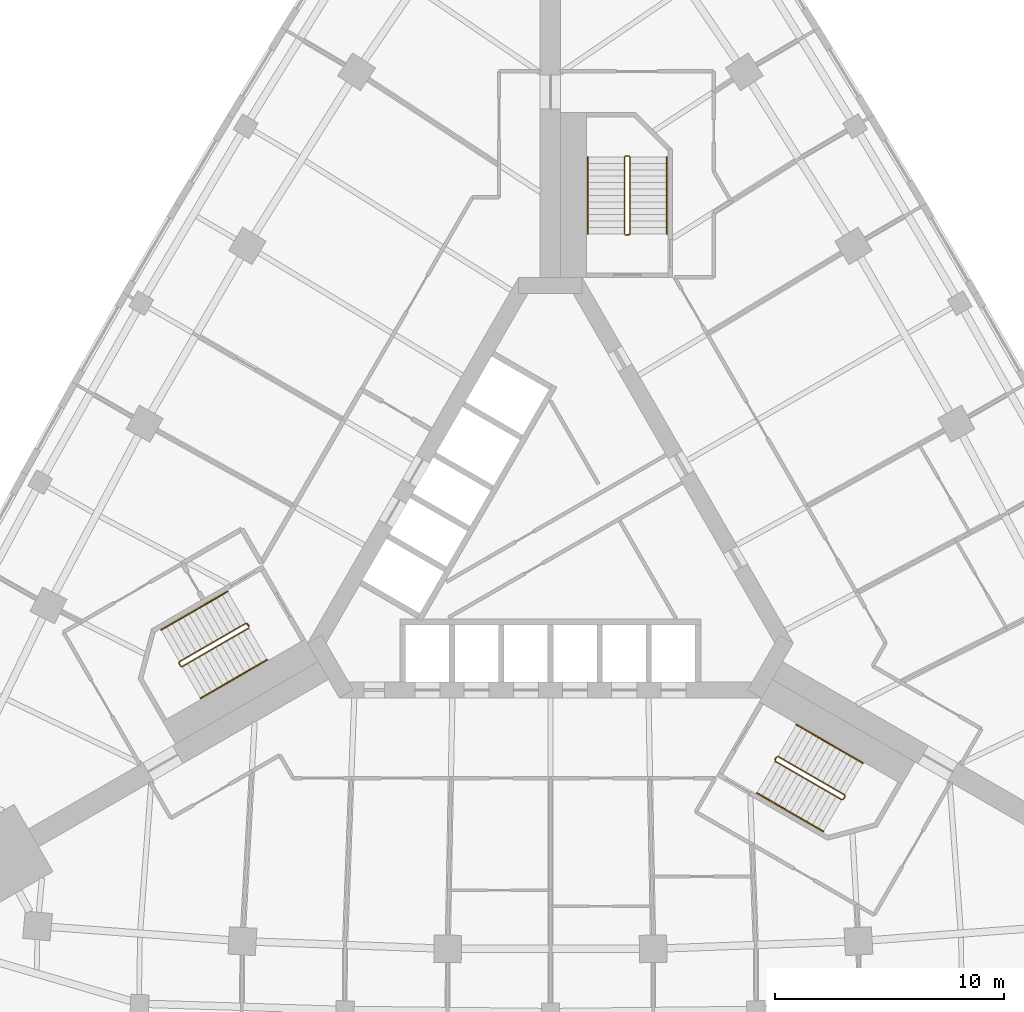
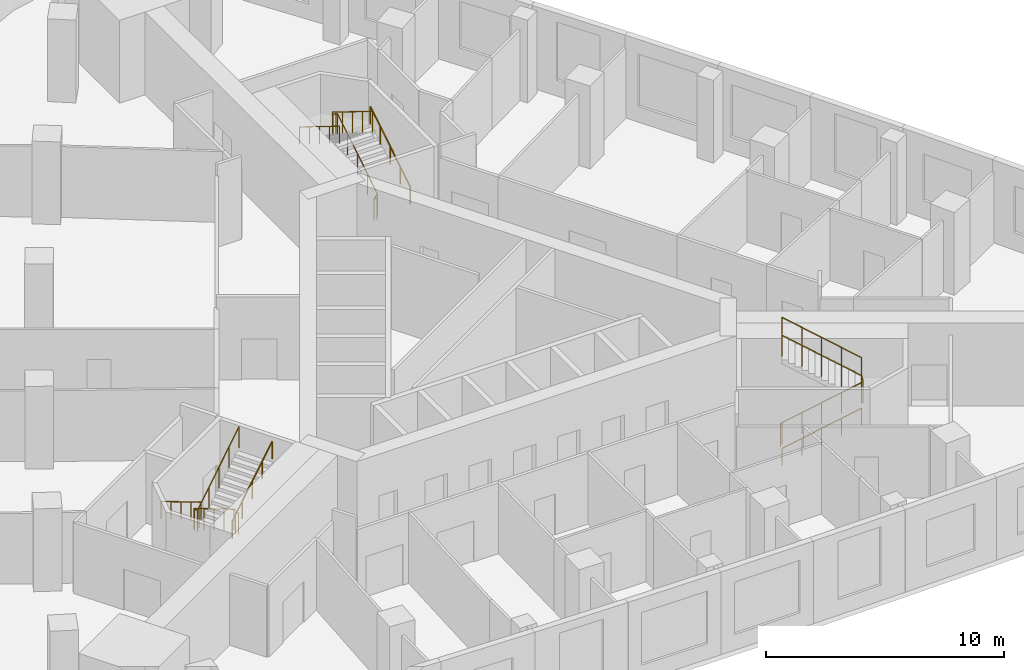
# One storey, part 11 of 11: 9 railings.
"""IFC4 building model written with IfcOpenShell, lengths in metres."""

import ifcopenshell
import ifcopenshell.guid

model = None  # the IFC model being written
_history = None  # IfcOwnerHistory: only IFC2X3 demands one
_inside = {}  # id of a spatial element -> (the spatial element, [elements in it])
_under = {}  # id of a project, library or spatial element -> (it, [spatial elements below it])
_declared = {}  # id of a project -> (the project, [libraries it declares])
_typed = {}  # id of a type object -> (the type object, [elements of that type])
_made_of = {}  # id of a material, layer set ... -> (it, [elements and type objects made of it])


def new_model(schema):
    """Start an empty IFC model of exactly this schema.

    Asked for "IFC4X3", IfcOpenShell would pick the latest addendum, in which some entities
    have other attributes; the version numbers below select the first issue.
    IFC2X3 requires an IfcOwnerHistory on every rooted entity: one is made here for all.
    """
    global model, _history
    if schema == "IFC4X3":
        model = ifcopenshell.file(schema_version=(4, 3, 0, 0))
    else:
        model = ifcopenshell.file(schema=schema)
    _inside.clear()
    _under.clear()
    _declared.clear()
    _typed.clear()
    _made_of.clear()
    _history = None
    if model.schema == "IFC2X3":
        org = make("IfcOrganization", Name="unknown")
        user = make(
            "IfcPersonAndOrganization",
            ThePerson=make("IfcPerson", FamilyName="unknown"),
            TheOrganization=org,
        )
        app = make(
            "IfcApplication",
            ApplicationDeveloper=org,
            Version="unknown",
            ApplicationFullName="unknown",
            ApplicationIdentifier="unknown",
        )
        _history = make(
            "IfcOwnerHistory",
            OwningUser=user,
            OwningApplication=app,
            ChangeAction="ADDED",
            CreationDate=0,
        )
    return model


def make(cls, **values):
    """One entity of the class cls with the attributes given. An attribute that is None is left unset."""
    return model.create_entity(
        cls, **{name: value for name, value in values.items() if value is not None}
    )


def rooted(cls, **values):
    """An entity with a GlobalId (a new one), such as an element, a storey or a relation."""
    return make(cls, GlobalId=ifcopenshell.guid.new(), OwnerHistory=_history, **values)


def si_unit(unit_type, name, prefix=None):
    """IfcSIUnit, for example si_unit("LENGTHUNIT", "METRE", prefix="MILLI")."""
    return make("IfcSIUnit", UnitType=unit_type, Prefix=prefix, Name=name)


def assignment(units):
    """IfcUnitAssignment: the units of a project."""
    return None if units is None else make("IfcUnitAssignment", Units=units)


def point(xyz):
    """IfcCartesianPoint."""
    return None if xyz is None else make("IfcCartesianPoint", Coordinates=xyz)


def direction(xyz):
    """IfcDirection."""
    return None if xyz is None else make("IfcDirection", DirectionRatios=xyz)


def frame(location, z_axis=None, x_axis=None):
    """IfcAxis2Placement3D, a coordinate frame: its origin and axes. An axis left out is left unset."""
    return make(
        "IfcAxis2Placement3D",
        Location=point(location),
        Axis=direction(z_axis),
        RefDirection=direction(x_axis),
    )


def frame_2d(location, x_axis=None):
    """IfcAxis2Placement2D, a coordinate frame in the plane: its origin and x axis."""
    return make(
        "IfcAxis2Placement2D", Location=point(location), RefDirection=direction(x_axis)
    )


def origin():
    """The frame at (0, 0, 0) with its axes left unset."""
    return frame((0.0, 0.0, 0.0))


def origin_2d():
    """The frame at (0, 0) in the plane with its x axis left unset."""
    return frame_2d((0.0, 0.0))


def place(relative_to, where):
    """IfcLocalPlacement: puts the frame where relative to a parent placement (None: the world)."""
    return make(
        "IfcLocalPlacement", PlacementRelTo=relative_to, RelativePlacement=where
    )


def context(
    kind, dimensions, precision=None, world=None, true_north=None, identifier=None
):
    """IfcGeometricRepresentationContext, for example the 3D "Model" context."""
    return make(
        "IfcGeometricRepresentationContext",
        ContextIdentifier=identifier,
        ContextType=kind,
        CoordinateSpaceDimension=dimensions,
        Precision=precision,
        WorldCoordinateSystem=world,
        TrueNorth=true_north,
    )


def subcontext(parent, identifier, kind, view, scale=None):
    """IfcGeometricRepresentationSubContext, for example "Body" below "Model"."""
    return make(
        "IfcGeometricRepresentationSubContext",
        ContextIdentifier=identifier,
        ContextType=kind,
        ParentContext=parent,
        TargetScale=scale,
        TargetView=view,
    )


def project(units=None, contexts=None):
    """IfcProject with its units and contexts."""
    return rooted(
        "IfcProject",
        Name="project",
        RepresentationContexts=contexts,
        UnitsInContext=assignment(units),
    )


def spatial(cls, under=None, at=None, **own):
    """A site, building, storey or space (cls), placed at a placement, below another one or the project."""
    s = rooted(cls, ObjectPlacement=at, **own)
    if under is not None:
        _under.setdefault(under.id(), (under, []))[1].append(s)
    return s


def profile(cls, at=None, kind="AREA", **sizes):
    """A parametric profile (cls). Its sizes go by their IFC names, for example OverallWidth=200.0."""
    return make(cls, ProfileType=kind, Position=at, **sizes)


def circle(**sizes):
    """IfcCircleProfileDef."""
    return profile("IfcCircleProfileDef", **sizes)


def extrude(swept, where, along, depth):
    """IfcExtrudedAreaSolid: the profile swept, set in the frame where, extruded along a direction by depth."""
    return make(
        "IfcExtrudedAreaSolid",
        SweptArea=swept,
        Position=where,
        ExtrudedDirection=direction(along),
        Depth=depth,
    )


def shape(context_of_items, identifier, shape_type, items):
    """IfcShapeRepresentation: the items that make up one representation, for example the "Body"."""
    return make(
        "IfcShapeRepresentation",
        ContextOfItems=context_of_items,
        RepresentationIdentifier=identifier,
        RepresentationType=shape_type,
        Items=items,
    )


def material(Name=None, Category=None):
    """IfcMaterial."""
    return make("IfcMaterial", Name=Name, Category=Category)


def made_of(thing, what):
    """Note that an element or type object is made of a material, layer set ...; save() writes the relation."""
    if what is not None:
        _made_of.setdefault(what.id(), (what, []))[1].append(thing)
    return thing


def type_object(cls, material=None, **own):
    """A type object (cls), such as IfcWallType, which elements share."""
    return made_of(rooted(cls, **own), material)


def element(
    cls,
    number,
    at=None,
    inside=None,
    cuts=None,
    type_object=None,
    material=None,
    context=None,
    identifier="Body",
    shape_type=None,
    held_by="IfcProductDefinitionShape",
    body=None,
    shapes=None,
    **own,
):
    """One element of the class cls, such as IfcWall. Its Tag is "e" and its number.

    at: its placement. inside: the storey or other place that contains it. cuts: it is an
    opening in that element (IfcRelVoidsElement). A single representation is given by context,
    identifier, shape_type and body (its items); several are given by shapes. held_by: the class
    of the entity that holds the representations. save() writes the other relations.
    """
    e = rooted(cls, Tag="e%d" % number, ObjectPlacement=at, **own)
    if body is not None:
        shapes = [shape(context, identifier, shape_type, body)]
    if shapes is not None:
        e.Representation = make(held_by, Representations=shapes)
    if inside is not None:
        _inside.setdefault(inside.id(), (inside, []))[1].append(e)
    if cuts is not None:
        rooted(
            "IfcRelVoidsElement", RelatingBuildingElement=cuts, RelatedOpeningElement=e
        )
    if type_object is not None:
        _typed.setdefault(type_object.id(), (type_object, []))[1].append(e)
    return made_of(e, material)


def aggregate(whole, parts):
    """IfcRelAggregates: a whole, such as a stair, and the parts it consists of."""
    return rooted("IfcRelAggregates", RelatingObject=whole, RelatedObjects=parts)


def save(model, path):
    """Write the relations noted so far, then the file.

    IfcRelAggregates (storeys below a building ...), IfcRelContainedInSpatialStructure (elements
    in a storey), IfcRelDefinesByType, IfcRelAssociatesMaterial and IfcRelDeclares: one each for
    every whole, place, type object, material and project.
    """
    for whole, parts in _under.values():
        aggregate(whole, parts)
    for where, things in _inside.values():
        rooted(
            "IfcRelContainedInSpatialStructure",
            RelatedElements=things,
            RelatingStructure=where,
        )
    for kind, things in _typed.values():
        rooted("IfcRelDefinesByType", RelatedObjects=things, RelatingType=kind)
    for what, things in _made_of.values():
        rooted("IfcRelAssociatesMaterial", RelatedObjects=things, RelatingMaterial=what)
    for by, libraries in _declared.values():
        rooted("IfcRelDeclares", RelatingContext=by, RelatedDefinitions=libraries)
    model.write(path)


model = new_model("IFC4")

# Units and contexts
model_context = context("Model", 3, precision=1e-05, world=origin(), true_north=direction((0.0, 1.0)))
body_context = subcontext(model_context, "Body", "Model", "MODEL_VIEW")
ifc_project = project(units=[si_unit("LENGTHUNIT", "METRE"), si_unit("AREAUNIT", "SQUARE_METRE"), si_unit("VOLUMEUNIT", "CUBIC_METRE"), si_unit("PLANEANGLEUNIT", "RADIAN"), si_unit("MASSUNIT", "GRAM", prefix="KILO")], contexts=[model_context])

# Site, building, storey
site_placement = place(None, origin())
site = spatial("IfcSite", under=ifc_project, at=site_placement, CompositionType="ELEMENT")
building_placement = place(site_placement, origin())
building = spatial("IfcBuilding", under=site, at=building_placement, Name="Noor Cloister Tower", CompositionType="ELEMENT")
storey_placement = place(building_placement, frame((0.0, 0.0, 15.0)))
storey = spatial("IfcBuildingStorey", under=building, at=storey_placement, Name="L03", CompositionType="ELEMENT", Elevation=15.0)

# Railings
ifc_material_1 = material(Name="Stainless steel", Category="steel")
railing_type_1 = type_object("IfcRailingType", Name="Stair guard 1100", PredefinedType="GUARDRAIL", material=ifc_material_1)
railing_1_placement = place(storey_placement, frame((3.435546875, 13.306396484375, 0.0)))
element("IfcRailing", 1, at=railing_1_placement, inside=storey, type_object=railing_type_1, Name="Stair guard ST1 L03", PredefinedType="GUARDRAIL", context=body_context, shape_type="SweptSolid", body=[
    extrude(circle(Radius=0.02392578125, at=origin_2d()), frame((0.0, 0.0, 1.076171875), z_axis=(-1.0, 0.0, 0.0), x_axis=(0.0, -1.0, 0.0)), (0.0, 0.0, 1.0), 0.14990234375),
    extrude(circle(Radius=0.02392578125, at=origin_2d()), frame((-0.14990234375, 0.0, 1.076171875), z_axis=(0.742869136974, 0.185944045274, 0.643094283413), x_axis=(-0.242814311512, 0.970072785993, 0.0)), (0.0, 0.0, 1.0), 0.26904296875),
    extrude(circle(Radius=0.02392578125, at=origin_2d()), frame((0.050048828125, 0.050048828125, 1.2490234375), z_axis=(0.0, 0.850606129759, 0.525803396734), x_axis=(-1.0, 0.0, 0.0)), (0.0, 0.0, 1.0), 3.949951171875),
    extrude(circle(Radius=0.02392578125, at=origin_2d()), frame((0.050048828125, 3.409912109375, 3.326171875), z_axis=(-0.707106781187, 0.707106781187, 0.0), x_axis=(-0.707106781187, -0.707106781187, 0.0)), (0.0, 0.0, 1.0), 0.07080078125),
    extrude(circle(Radius=0.02392578125, at=origin_2d()), frame((0.0, 3.4599609375, 3.326171875), z_axis=(-1.0, 0.0, 0.0), x_axis=(0.0, -1.0, 0.0)), (0.0, 0.0, 1.0), 0.14990234375),
    extrude(circle(Radius=0.02392578125, at=origin_2d()), frame((-0.14990234375, 3.4599609375, 3.326171875), z_axis=(-0.267629722418, -0.267629722418, 0.925607186314), x_axis=(0.707106781187, -0.707106781187, 0.0)), (0.0, 0.0, 1.0), 0.18701171875),
    extrude(circle(Radius=0.02392578125, at=origin_2d()), frame((-0.199951171875, 3.409912109375, 3.4990234375), z_axis=(0.0, -0.850606129759, 0.525803396734), x_axis=(1.0, 0.0, 0.0)), (0.0, 0.0, 1.0), 3.949951171875),
    extrude(circle(Radius=0.02099609375, at=origin_2d()), origin(), (0.0, 0.0, 1.0), 1.052001953125),
    extrude(circle(Radius=0.02099609375, at=origin_2d()), frame((-0.14990234375, 0.0, 0.0)), (0.0, 0.0, 1.0), 1.052001953125),
    extrude(circle(Radius=0.02099609375, at=origin_2d()), frame((0.050048828125, 0.050048828125, 0.173095703125)), (0.0, 0.0, 1.0), 1.052001953125),
    extrude(circle(Radius=0.02099609375, at=origin_2d()), frame((0.050048828125, 0.89013671875, 0.6923828125)), (0.0, 0.0, 1.0), 1.052001953125),
    extrude(circle(Radius=0.02099609375, at=origin_2d()), frame((0.050048828125, 1.72998046875, 1.21142578125)), (0.0, 0.0, 1.0), 1.052001953125),
    extrude(circle(Radius=0.02099609375, at=origin_2d()), frame((0.050048828125, 2.56982421875, 1.730712890625)), (0.0, 0.0, 1.0), 1.052001953125),
    extrude(circle(Radius=0.02099609375, at=origin_2d()), frame((0.050048828125, 3.409912109375, 2.25)), (0.0, 0.0, 1.0), 1.052001953125),
    extrude(circle(Radius=0.02099609375, at=origin_2d()), frame((0.0, 3.4599609375, 2.25)), (0.0, 0.0, 1.0), 1.052001953125),
    extrude(circle(Radius=0.02099609375, at=origin_2d()), frame((-0.14990234375, 3.4599609375, 2.25)), (0.0, 0.0, 1.0), 1.052001953125),
    extrude(circle(Radius=0.02099609375, at=origin_2d()), frame((-0.199951171875, 3.409912109375, 2.423095703125)), (0.0, 0.0, 1.0), 1.052001953125),
    extrude(circle(Radius=0.02099609375, at=origin_2d()), frame((-0.199951171875, 2.56982421875, 2.9423828125)), (0.0, 0.0, 1.0), 1.052001953125),
    extrude(circle(Radius=0.02099609375, at=origin_2d()), frame((-0.199951171875, 1.72998046875, 3.46142578125)), (0.0, 0.0, 1.0), 1.052001953125),
    extrude(circle(Radius=0.02099609375, at=origin_2d()), frame((-0.199951171875, 0.89013671875, 3.980712890625)), (0.0, 0.0, 1.0), 1.052001953125),
    extrude(circle(Radius=0.02099609375, at=origin_2d()), frame((-0.199951171875, 0.050048828125, 4.5)), (0.0, 0.0, 1.0), 1.052001953125),
])
railing_2_placement = place(storey_placement, frame((-13.241455078125, -3.677734375, 0.0)))
element("IfcRailing", 2, at=railing_2_placement, inside=storey, type_object=railing_type_1, Name="Stair guard ST2 L03", PredefinedType="GUARDRAIL", context=body_context, shape_type="SweptSolid", body=[
    extrude(circle(Radius=0.02392578125, at=origin_2d()), frame((0.0, 0.0, 1.076171875), z_axis=(0.499112439033, -0.866537231285, 0.0), x_axis=(0.866537231285, 0.499112439033, 0.0)), (0.0, 0.0, 1.0), 0.150146484375),
    extrude(circle(Radius=0.02392578125, at=origin_2d()), frame((0.074951171875, -0.130126953125, 1.076171875), z_axis=(-0.532384093884, 0.550523245294, 0.643032917485), x_axis=(-0.718850276695, -0.695164929852, 0.0)), (0.0, 0.0, 1.0), 0.269287109375),
    extrude(circle(Radius=0.02392578125, at=origin_2d()), frame((-0.068359375, 0.01806640625, 1.2490234375), z_axis=(-0.736667954249, -0.425288379326, 0.525785240943), x_axis=(0.499976138585, -0.866039179741, 0.0)), (0.0, 0.0, 1.0), 3.9501953125),
    extrude(circle(Radius=0.02392578125, at=origin_2d()), frame((-2.978271484375, -1.661865234375, 3.326171875), z_axis=(-0.258736085224, -0.965948051503, 0.0), x_axis=(0.965948051503, -0.258736085224, 0.0)), (0.0, 0.0, 1.0), 0.07080078125),
    extrude(circle(Radius=0.02392578125, at=origin_2d()), frame((-2.99658203125, -1.730224609375, 3.326171875), z_axis=(0.501036270542, -0.865426285481, 0.0), x_axis=(0.865426285481, 0.501036270542, 0.0)), (0.0, 0.0, 1.0), 0.150146484375),
    extrude(circle(Radius=0.02392578125, at=origin_2d()), frame((-2.92138671875, -1.860107421875, 3.326171875), z_axis=(0.364418931161, -0.097962078269, 0.926068179905), x_axis=(0.259601060869, 0.965715946433, 0.0)), (0.0, 0.0, 1.0), 0.18701171875),
    extrude(circle(Radius=0.02392578125, at=origin_2d()), frame((-2.853271484375, -1.87841796875, 3.4990234375), z_axis=(0.736648589954, 0.42533900462, 0.52577141998), x_axis=(-0.500030632641, 0.866007717299, 0.0)), (0.0, 0.0, 1.0), 3.9501953125),
    extrude(circle(Radius=0.02099609375, at=origin_2d()), origin(), (0.0, 0.0, 1.0), 1.052001953125),
    extrude(circle(Radius=0.02099609375, at=origin_2d()), frame((0.074951171875, -0.130126953125, 0.0)), (0.0, 0.0, 1.0), 1.052001953125),
    extrude(circle(Radius=0.02099609375, at=origin_2d()), frame((-0.068359375, 0.01806640625, 0.173095703125)), (0.0, 0.0, 1.0), 1.052001953125),
    extrude(circle(Radius=0.02099609375, at=origin_2d()), frame((-0.7958984375, -0.40185546875, 0.6923828125)), (0.0, 0.0, 1.0), 1.052001953125),
    extrude(circle(Radius=0.02099609375, at=origin_2d()), frame((-1.5234375, -0.82177734375, 1.21142578125)), (0.0, 0.0, 1.0), 1.052001953125),
    extrude(circle(Radius=0.02099609375, at=origin_2d()), frame((-2.250732421875, -1.241943359375, 1.730712890625)), (0.0, 0.0, 1.0), 1.052001953125),
    extrude(circle(Radius=0.02099609375, at=origin_2d()), frame((-2.978271484375, -1.661865234375, 2.25)), (0.0, 0.0, 1.0), 1.052001953125),
    extrude(circle(Radius=0.02099609375, at=origin_2d()), frame((-2.99658203125, -1.730224609375, 2.25)), (0.0, 0.0, 1.0), 1.052001953125),
    extrude(circle(Radius=0.02099609375, at=origin_2d()), frame((-2.92138671875, -1.860107421875, 2.25)), (0.0, 0.0, 1.0), 1.052001953125),
    extrude(circle(Radius=0.02099609375, at=origin_2d()), frame((-2.853271484375, -1.87841796875, 2.423095703125)), (0.0, 0.0, 1.0), 1.052001953125),
    extrude(circle(Radius=0.02099609375, at=origin_2d()), frame((-2.125732421875, -1.45849609375, 2.9423828125)), (0.0, 0.0, 1.0), 1.052001953125),
    extrude(circle(Radius=0.02099609375, at=origin_2d()), frame((-1.3984375, -1.038330078125, 3.46142578125)), (0.0, 0.0, 1.0), 1.052001953125),
    extrude(circle(Radius=0.02099609375, at=origin_2d()), frame((-0.6708984375, -0.6181640625, 3.980712890625)), (0.0, 0.0, 1.0), 1.052001953125),
    extrude(circle(Radius=0.02099609375, at=origin_2d()), frame((0.056640625, -0.1982421875, 4.5)), (0.0, 0.0, 1.0), 1.052001953125),
])
railing_3_placement = place(storey_placement, frame((9.805908203125, -9.628662109375, 0.0)))
element("IfcRailing", 3, at=railing_3_placement, inside=storey, type_object=railing_type_1, Name="Stair guard ST3 L03", PredefinedType="GUARDRAIL", context=body_context, shape_type="SweptSolid", body=[
    extrude(circle(Radius=0.02392578125, at=origin_2d()), frame((0.0, 0.0, 1.076171875), z_axis=(0.499112439033, 0.866537231285, 0.0), x_axis=(-0.866537231285, 0.499112439033, 0.0)), (0.0, 0.0, 1.0), 0.150146484375),
    extrude(circle(Radius=0.02392578125, at=origin_2d()), frame((0.074951171875, 0.130126953125, 1.076171875), z_axis=(-0.210401176497, -0.736404117741, 0.642993250589), x_axis=(0.961523947641, -0.274721127897, 0.0)), (0.0, 0.0, 1.0), 0.269287109375),
    extrude(circle(Radius=0.02392578125, at=origin_2d()), frame((0.018310546875, -0.068115234375, 1.2490234375), z_axis=(0.736648589954, -0.42533900462, 0.52577141998), x_axis=(0.500030632641, 0.866007717299, 0.0)), (0.0, 0.0, 1.0), 3.9501953125),
    extrude(circle(Radius=0.02392578125, at=origin_2d()), frame((2.92822265625, -1.748291015625, 3.326171875), z_axis=(0.965715946433, 0.259601060869, 0.0), x_axis=(-0.259601060869, 0.965715946433, 0.0)), (0.0, 0.0, 1.0), 0.070556640625),
    extrude(circle(Radius=0.02392578125, at=origin_2d()), frame((2.996337890625, -1.72998046875, 3.326171875), z_axis=(0.499816412211, 0.866131372301, 0.0), x_axis=(-0.866131372301, 0.499816412211, 0.0)), (0.0, 0.0, 1.0), 0.14990234375),
    extrude(circle(Radius=0.02392578125, at=origin_2d()), frame((3.0712890625, -1.60009765625, 3.326171875), z_axis=(-0.096622130353, 0.365597249983, 0.925744465136), x_axis=(-0.966805641264, -0.255512919477, 0.0)), (0.0, 0.0, 1.0), 0.18701171875),
    extrude(circle(Radius=0.02392578125, at=origin_2d()), frame((3.05322265625, -1.53173828125, 3.4990234375), z_axis=(-0.736667954249, 0.425288379326, 0.525785240943), x_axis=(-0.499976138585, -0.866039179741, 0.0)), (0.0, 0.0, 1.0), 3.9501953125),
    extrude(circle(Radius=0.02099609375, at=origin_2d()), origin(), (0.0, 0.0, 1.0), 1.052001953125),
    extrude(circle(Radius=0.02099609375, at=origin_2d()), frame((0.074951171875, 0.130126953125, 0.0)), (0.0, 0.0, 1.0), 1.052001953125),
    extrude(circle(Radius=0.02099609375, at=origin_2d()), frame((0.018310546875, -0.068115234375, 0.173095703125)), (0.0, 0.0, 1.0), 1.052001953125),
    extrude(circle(Radius=0.02099609375, at=origin_2d()), frame((0.745849609375, -0.48828125, 0.6923828125)), (0.0, 0.0, 1.0), 1.052001953125),
    extrude(circle(Radius=0.02099609375, at=origin_2d()), frame((1.47314453125, -0.908203125, 1.21142578125)), (0.0, 0.0, 1.0), 1.052001953125),
    extrude(circle(Radius=0.02099609375, at=origin_2d()), frame((2.20068359375, -1.328125, 1.730712890625)), (0.0, 0.0, 1.0), 1.052001953125),
    extrude(circle(Radius=0.02099609375, at=origin_2d()), frame((2.92822265625, -1.748291015625, 2.25)), (0.0, 0.0, 1.0), 1.052001953125),
    extrude(circle(Radius=0.02099609375, at=origin_2d()), frame((2.996337890625, -1.72998046875, 2.25)), (0.0, 0.0, 1.0), 1.052001953125),
    extrude(circle(Radius=0.02099609375, at=origin_2d()), frame((3.0712890625, -1.60009765625, 2.25)), (0.0, 0.0, 1.0), 1.052001953125),
    extrude(circle(Radius=0.02099609375, at=origin_2d()), frame((3.05322265625, -1.53173828125, 2.423095703125)), (0.0, 0.0, 1.0), 1.052001953125),
    extrude(circle(Radius=0.02099609375, at=origin_2d()), frame((2.32568359375, -1.11181640625, 2.9423828125)), (0.0, 0.0, 1.0), 1.052001953125),
    extrude(circle(Radius=0.02099609375, at=origin_2d()), frame((1.59814453125, -0.69189453125, 3.46142578125)), (0.0, 0.0, 1.0), 1.052001953125),
    extrude(circle(Radius=0.02099609375, at=origin_2d()), frame((0.870849609375, -0.271728515625, 3.980712890625)), (0.0, 0.0, 1.0), 1.052001953125),
    extrude(circle(Radius=0.02099609375, at=origin_2d()), frame((0.143310546875, 0.148193359375, 4.5)), (0.0, 0.0, 1.0), 1.052001953125),
])
ifc_material_2 = material(Name="Stainless steel", Category="steel")
railing_type_2 = type_object("IfcRailingType", Name="Stair handrail 900", PredefinedType="HANDRAIL", material=ifc_material_2)
railing_4_placement = place(storey_placement, frame((5.085693359375, 13.3564453125, 0.173095703125)))
element("IfcRailing", 4, at=railing_4_placement, inside=storey, type_object=railing_type_2, Name="Stair handrail ST1 L03 1", PredefinedType="HANDRAIL", context=body_context, shape_type="SweptSolid", body=[
    extrude(circle(Radius=0.02392578125, at=origin_2d()), frame((0.0, 0.0, 0.8759765625), z_axis=(0.0, 0.850606129759, 0.525803396734), x_axis=(-1.0, 0.0, 0.0)), (0.0, 0.0, 1.0), 3.949951171875),
    extrude(circle(Radius=0.02099609375, at=origin_2d()), origin(), (0.0, 0.0, 1.0), 0.851806640625),
    extrude(circle(Radius=0.02099609375, at=origin_2d()), frame((0.0, 0.83984375, 0.519287109375)), (0.0, 0.0, 1.0), 0.851806640625),
    extrude(circle(Radius=0.02099609375, at=origin_2d()), frame((0.0, 1.679931640625, 1.03857421875)), (0.0, 0.0, 1.0), 0.851806640625),
    extrude(circle(Radius=0.02099609375, at=origin_2d()), frame((0.0, 2.52001953125, 1.5576171875)), (0.0, 0.0, 1.0), 0.851806640625),
    extrude(circle(Radius=0.02099609375, at=origin_2d()), frame((0.0, 3.35986328125, 2.076904296875)), (0.0, 0.0, 1.0), 0.851806640625),
])
railing_5_placement = place(storey_placement, frame((1.6357421875, 16.71630859375, 2.423095703125)))
element("IfcRailing", 5, at=railing_5_placement, inside=storey, type_object=railing_type_2, Name="Stair handrail ST1 L03 2", PredefinedType="HANDRAIL", context=body_context, shape_type="SweptSolid", body=[
    extrude(circle(Radius=0.02392578125, at=origin_2d()), frame((0.0, 0.0, 0.8759765625), z_axis=(0.0, -0.850606129759, 0.525803396734), x_axis=(1.0, 0.0, 0.0)), (0.0, 0.0, 1.0), 3.949951171875),
    extrude(circle(Radius=0.02099609375, at=origin_2d()), origin(), (0.0, 0.0, 1.0), 0.851806640625),
    extrude(circle(Radius=0.02099609375, at=origin_2d()), frame((0.0, -0.83984375, 0.519287109375)), (0.0, 0.0, 1.0), 0.851806640625),
    extrude(circle(Radius=0.02099609375, at=origin_2d()), frame((0.0, -1.679931640625, 1.03857421875)), (0.0, 0.0, 1.0), 0.851806640625),
    extrude(circle(Radius=0.02099609375, at=origin_2d()), frame((0.0, -2.52001953125, 1.5576171875)), (0.0, 0.0, 1.0), 0.851806640625),
    extrude(circle(Radius=0.02099609375, at=origin_2d()), frame((0.0, -3.35986328125, 2.076904296875)), (0.0, 0.0, 1.0), 0.851806640625),
])
railing_6_placement = place(storey_placement, frame((-14.10986328125, -2.27392578125, 0.173095703125)))
element("IfcRailing", 6, at=railing_6_placement, inside=storey, type_object=railing_type_2, Name="Stair handrail ST2 L03 1", PredefinedType="HANDRAIL", context=body_context, shape_type="SweptSolid", body=[
    extrude(circle(Radius=0.02392578125, at=origin_2d()), frame((0.0, 0.0, 0.8759765625), z_axis=(-0.736639687092, -0.425307743487, 0.525809180911), x_axis=(0.500007602105, -0.866021014662, 0.0)), (0.0, 0.0, 1.0), 3.949951171875),
    extrude(circle(Radius=0.02099609375, at=origin_2d()), origin(), (0.0, 0.0, 1.0), 0.851806640625),
    extrude(circle(Radius=0.02099609375, at=origin_2d()), frame((-0.7275390625, -0.419921875, 0.519287109375)), (0.0, 0.0, 1.0), 0.851806640625),
    extrude(circle(Radius=0.02099609375, at=origin_2d()), frame((-1.454833984375, -0.83984375, 1.03857421875)), (0.0, 0.0, 1.0), 0.851806640625),
    extrude(circle(Radius=0.02099609375, at=origin_2d()), frame((-2.18212890625, -1.260009765625, 1.5576171875)), (0.0, 0.0, 1.0), 0.851806640625),
    extrude(circle(Radius=0.02099609375, at=origin_2d()), frame((-2.90966796875, -1.679931640625, 2.076904296875)), (0.0, 0.0, 1.0), 0.851806640625),
])
railing_7_placement = place(storey_placement, frame((-15.294677734375, -6.941650390625, 2.423095703125)))
element("IfcRailing", 7, at=railing_7_placement, inside=storey, type_object=railing_type_2, Name="Stair handrail ST2 L03 2", PredefinedType="HANDRAIL", context=body_context, shape_type="SweptSolid", body=[
    extrude(circle(Radius=0.02392578125, at=origin_2d()), frame((0.0, 0.0, 0.8759765625), z_axis=(0.736667954249, 0.425288379326, 0.525785240943), x_axis=(-0.499976138585, 0.866039179741, 0.0)), (0.0, 0.0, 1.0), 3.9501953125),
    extrude(circle(Radius=0.02099609375, at=origin_2d()), origin(), (0.0, 0.0, 1.0), 0.851806640625),
    extrude(circle(Radius=0.02099609375, at=origin_2d()), frame((0.7275390625, 0.419921875, 0.519287109375)), (0.0, 0.0, 1.0), 0.851806640625),
    extrude(circle(Radius=0.02099609375, at=origin_2d()), frame((1.455078125, 0.83984375, 1.03857421875)), (0.0, 0.0, 1.0), 0.851806640625),
    extrude(circle(Radius=0.02099609375, at=origin_2d()), frame((2.182373046875, 1.260009765625, 1.5576171875)), (0.0, 0.0, 1.0), 0.851806640625),
    extrude(circle(Radius=0.02099609375, at=origin_2d()), frame((2.909912109375, 1.679931640625, 2.076904296875)), (0.0, 0.0, 1.0), 0.851806640625),
])
railing_8_placement = place(storey_placement, frame((9.024169921875, -11.08251953125, 0.173095703125)))
element("IfcRailing", 8, at=railing_8_placement, inside=storey, type_object=railing_type_2, Name="Stair handrail ST3 L03 1", PredefinedType="HANDRAIL", context=body_context, shape_type="SweptSolid", body=[
    extrude(circle(Radius=0.02392578125, at=origin_2d()), frame((0.0, 0.0, 0.8759765625), z_axis=(0.736667954249, -0.425288379326, 0.525785240943), x_axis=(0.499976138585, 0.866039179741, 0.0)), (0.0, 0.0, 1.0), 3.9501953125),
    extrude(circle(Radius=0.02099609375, at=origin_2d()), origin(), (0.0, 0.0, 1.0), 0.851806640625),
    extrude(circle(Radius=0.02099609375, at=origin_2d()), frame((0.7275390625, -0.419921875, 0.519287109375)), (0.0, 0.0, 1.0), 0.851806640625),
    extrude(circle(Radius=0.02099609375, at=origin_2d()), frame((1.455078125, -0.83984375, 1.03857421875)), (0.0, 0.0, 1.0), 0.851806640625),
    extrude(circle(Radius=0.02099609375, at=origin_2d()), frame((2.182373046875, -1.260009765625, 1.5576171875)), (0.0, 0.0, 1.0), 0.851806640625),
    extrude(circle(Radius=0.02099609375, at=origin_2d()), frame((2.909912109375, -1.679931640625, 2.076904296875)), (0.0, 0.0, 1.0), 0.851806640625),
])
railing_9_placement = place(storey_placement, frame((13.658935546875, -9.774658203125, 2.423095703125)))
element("IfcRailing", 9, at=railing_9_placement, inside=storey, type_object=railing_type_2, Name="Stair handrail ST3 L03 2", PredefinedType="HANDRAIL", context=body_context, shape_type="SweptSolid", body=[
    extrude(circle(Radius=0.02392578125, at=origin_2d()), frame((0.0, 0.0, 0.8759765625), z_axis=(-0.736639687092, 0.425307743487, 0.525809180911), x_axis=(-0.500007602105, -0.866021014662, 0.0)), (0.0, 0.0, 1.0), 3.949951171875),
    extrude(circle(Radius=0.02099609375, at=origin_2d()), origin(), (0.0, 0.0, 1.0), 0.851806640625),
    extrude(circle(Radius=0.02099609375, at=origin_2d()), frame((-0.7275390625, 0.419921875, 0.519287109375)), (0.0, 0.0, 1.0), 0.851806640625),
    extrude(circle(Radius=0.02099609375, at=origin_2d()), frame((-1.454833984375, 0.83984375, 1.03857421875)), (0.0, 0.0, 1.0), 0.851806640625),
    extrude(circle(Radius=0.02099609375, at=origin_2d()), frame((-2.18212890625, 1.260009765625, 1.5576171875)), (0.0, 0.0, 1.0), 0.851806640625),
    extrude(circle(Radius=0.02099609375, at=origin_2d()), frame((-2.90966796875, 1.679931640625, 2.076904296875)), (0.0, 0.0, 1.0), 0.851806640625),
])

save(model, "model.ifc")
